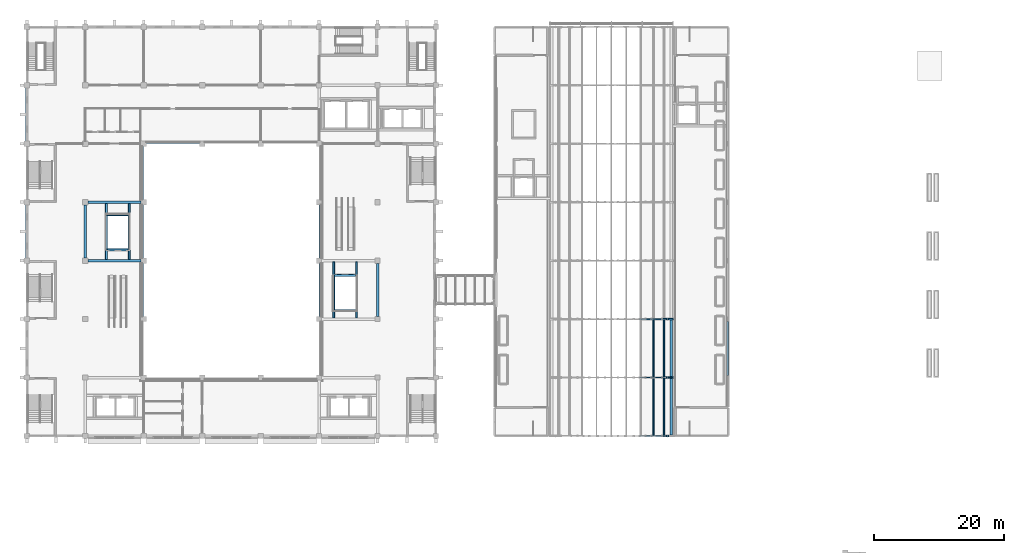
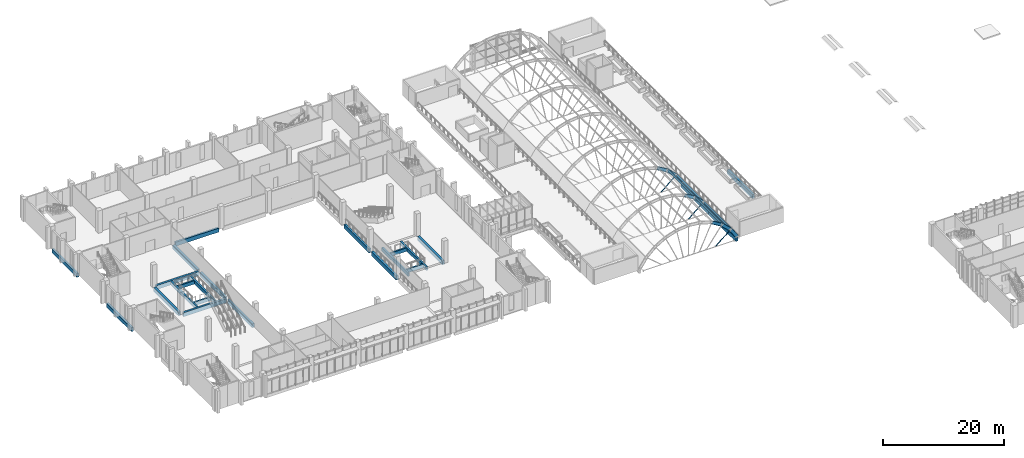
# One storey, part 15 of 79: 32 beams, 7 members.
"""IFC4 building model written with IfcOpenShell, lengths in metres."""

import ifcopenshell
import ifcopenshell.guid

model = None  # the IFC model being written
_history = None  # IfcOwnerHistory: only IFC2X3 demands one
_inside = {}  # id of a spatial element -> (the spatial element, [elements in it])
_under = {}  # id of a project, library or spatial element -> (it, [spatial elements below it])
_declared = {}  # id of a project -> (the project, [libraries it declares])
_typed = {}  # id of a type object -> (the type object, [elements of that type])
_made_of = {}  # id of a material, layer set ... -> (it, [elements and type objects made of it])


def new_model(schema):
    """Start an empty IFC model of exactly this schema.

    Asked for "IFC4X3", IfcOpenShell would pick the latest addendum, in which some entities
    have other attributes; the version numbers below select the first issue.
    IFC2X3 requires an IfcOwnerHistory on every rooted entity: one is made here for all.
    """
    global model, _history
    if schema == "IFC4X3":
        model = ifcopenshell.file(schema_version=(4, 3, 0, 0))
    else:
        model = ifcopenshell.file(schema=schema)
    _inside.clear()
    _under.clear()
    _declared.clear()
    _typed.clear()
    _made_of.clear()
    _history = None
    if model.schema == "IFC2X3":
        org = make("IfcOrganization", Name="unknown")
        user = make(
            "IfcPersonAndOrganization",
            ThePerson=make("IfcPerson", FamilyName="unknown"),
            TheOrganization=org,
        )
        app = make(
            "IfcApplication",
            ApplicationDeveloper=org,
            Version="unknown",
            ApplicationFullName="unknown",
            ApplicationIdentifier="unknown",
        )
        _history = make(
            "IfcOwnerHistory",
            OwningUser=user,
            OwningApplication=app,
            ChangeAction="ADDED",
            CreationDate=0,
        )
    return model


def make(cls, **values):
    """One entity of the class cls with the attributes given. An attribute that is None is left unset."""
    return model.create_entity(
        cls, **{name: value for name, value in values.items() if value is not None}
    )


def rooted(cls, **values):
    """An entity with a GlobalId (a new one), such as an element, a storey or a relation."""
    return make(cls, GlobalId=ifcopenshell.guid.new(), OwnerHistory=_history, **values)


def si_unit(unit_type, name, prefix=None):
    """IfcSIUnit, for example si_unit("LENGTHUNIT", "METRE", prefix="MILLI")."""
    return make("IfcSIUnit", UnitType=unit_type, Prefix=prefix, Name=name)


def assignment(units):
    """IfcUnitAssignment: the units of a project."""
    return None if units is None else make("IfcUnitAssignment", Units=units)


def point(xyz):
    """IfcCartesianPoint."""
    return None if xyz is None else make("IfcCartesianPoint", Coordinates=xyz)


def direction(xyz):
    """IfcDirection."""
    return None if xyz is None else make("IfcDirection", DirectionRatios=xyz)


def frame(location, z_axis=None, x_axis=None):
    """IfcAxis2Placement3D, a coordinate frame: its origin and axes. An axis left out is left unset."""
    return make(
        "IfcAxis2Placement3D",
        Location=point(location),
        Axis=direction(z_axis),
        RefDirection=direction(x_axis),
    )


def frame_2d(location, x_axis=None):
    """IfcAxis2Placement2D, a coordinate frame in the plane: its origin and x axis."""
    return make(
        "IfcAxis2Placement2D", Location=point(location), RefDirection=direction(x_axis)
    )


def origin():
    """The frame at (0, 0, 0) with its axes left unset."""
    return frame((0.0, 0.0, 0.0))


def origin_2d():
    """The frame at (0, 0) in the plane with its x axis left unset."""
    return frame_2d((0.0, 0.0))


def place(relative_to, where):
    """IfcLocalPlacement: puts the frame where relative to a parent placement (None: the world)."""
    return make(
        "IfcLocalPlacement", PlacementRelTo=relative_to, RelativePlacement=where
    )


def context(
    kind, dimensions, precision=None, world=None, true_north=None, identifier=None
):
    """IfcGeometricRepresentationContext, for example the 3D "Model" context."""
    return make(
        "IfcGeometricRepresentationContext",
        ContextIdentifier=identifier,
        ContextType=kind,
        CoordinateSpaceDimension=dimensions,
        Precision=precision,
        WorldCoordinateSystem=world,
        TrueNorth=true_north,
    )


def subcontext(parent, identifier, kind, view, scale=None):
    """IfcGeometricRepresentationSubContext, for example "Body" below "Model"."""
    return make(
        "IfcGeometricRepresentationSubContext",
        ContextIdentifier=identifier,
        ContextType=kind,
        ParentContext=parent,
        TargetScale=scale,
        TargetView=view,
    )


def project(units=None, contexts=None):
    """IfcProject with its units and contexts."""
    return rooted(
        "IfcProject",
        Name="project",
        RepresentationContexts=contexts,
        UnitsInContext=assignment(units),
    )


def spatial(cls, under=None, at=None, **own):
    """A site, building, storey or space (cls), placed at a placement, below another one or the project."""
    s = rooted(cls, ObjectPlacement=at, **own)
    if under is not None:
        _under.setdefault(under.id(), (under, []))[1].append(s)
    return s


def profile(cls, at=None, kind="AREA", **sizes):
    """A parametric profile (cls). Its sizes go by their IFC names, for example OverallWidth=200.0."""
    return make(cls, ProfileType=kind, Position=at, **sizes)


def rectangle(**sizes):
    """IfcRectangleProfileDef."""
    return profile("IfcRectangleProfileDef", **sizes)


def hollow_circle(**sizes):
    """IfcCircleHollowProfileDef."""
    return profile("IfcCircleHollowProfileDef", **sizes)


def i_section(**sizes):
    """IfcIShapeProfileDef."""
    return profile("IfcIShapeProfileDef", **sizes)


def extrude(swept, where, along, depth):
    """IfcExtrudedAreaSolid: the profile swept, set in the frame where, extruded along a direction by depth."""
    return make(
        "IfcExtrudedAreaSolid",
        SweptArea=swept,
        Position=where,
        ExtrudedDirection=direction(along),
        Depth=depth,
    )


def shape(context_of_items, identifier, shape_type, items):
    """IfcShapeRepresentation: the items that make up one representation, for example the "Body"."""
    return make(
        "IfcShapeRepresentation",
        ContextOfItems=context_of_items,
        RepresentationIdentifier=identifier,
        RepresentationType=shape_type,
        Items=items,
    )


def material(Name=None, Category=None):
    """IfcMaterial."""
    return make("IfcMaterial", Name=Name, Category=Category)


def material_profile(
    of_material, cross_section, Name=None, Category=None, Priority=None
):
    """IfcMaterialProfile: a cross section and its material."""
    return make(
        "IfcMaterialProfile",
        Name=Name,
        Material=of_material,
        Profile=cross_section,
        Priority=Priority,
        Category=Category,
    )


def profile_set(profiles, Name=None, composite=None):
    """IfcMaterialProfileSet."""
    return make(
        "IfcMaterialProfileSet",
        Name=Name,
        MaterialProfiles=profiles,
        CompositeProfile=composite,
    )


def made_of(thing, what):
    """Note that an element or type object is made of a material, layer set ...; save() writes the relation."""
    if what is not None:
        _made_of.setdefault(what.id(), (what, []))[1].append(thing)
    return thing


def type_object(cls, material=None, **own):
    """A type object (cls), such as IfcWallType, which elements share."""
    return made_of(rooted(cls, **own), material)


def element(
    cls,
    number,
    at=None,
    inside=None,
    cuts=None,
    type_object=None,
    material=None,
    context=None,
    identifier="Body",
    shape_type=None,
    held_by="IfcProductDefinitionShape",
    body=None,
    shapes=None,
    **own,
):
    """One element of the class cls, such as IfcWall. Its Tag is "e" and its number.

    at: its placement. inside: the storey or other place that contains it. cuts: it is an
    opening in that element (IfcRelVoidsElement). A single representation is given by context,
    identifier, shape_type and body (its items); several are given by shapes. held_by: the class
    of the entity that holds the representations. save() writes the other relations.
    """
    e = rooted(cls, Tag="e%d" % number, ObjectPlacement=at, **own)
    if body is not None:
        shapes = [shape(context, identifier, shape_type, body)]
    if shapes is not None:
        e.Representation = make(held_by, Representations=shapes)
    if inside is not None:
        _inside.setdefault(inside.id(), (inside, []))[1].append(e)
    if cuts is not None:
        rooted(
            "IfcRelVoidsElement", RelatingBuildingElement=cuts, RelatedOpeningElement=e
        )
    if type_object is not None:
        _typed.setdefault(type_object.id(), (type_object, []))[1].append(e)
    return made_of(e, material)


def aggregate(whole, parts):
    """IfcRelAggregates: a whole, such as a stair, and the parts it consists of."""
    return rooted("IfcRelAggregates", RelatingObject=whole, RelatedObjects=parts)


def save(model, path):
    """Write the relations noted so far, then the file.

    IfcRelAggregates (storeys below a building ...), IfcRelContainedInSpatialStructure (elements
    in a storey), IfcRelDefinesByType, IfcRelAssociatesMaterial and IfcRelDeclares: one each for
    every whole, place, type object, material and project.
    """
    for whole, parts in _under.values():
        aggregate(whole, parts)
    for where, things in _inside.values():
        rooted(
            "IfcRelContainedInSpatialStructure",
            RelatedElements=things,
            RelatingStructure=where,
        )
    for kind, things in _typed.values():
        rooted("IfcRelDefinesByType", RelatedObjects=things, RelatingType=kind)
    for what, things in _made_of.values():
        rooted("IfcRelAssociatesMaterial", RelatedObjects=things, RelatingMaterial=what)
    for by, libraries in _declared.values():
        rooted("IfcRelDeclares", RelatingContext=by, RelatedDefinitions=libraries)
    model.write(path)


model = new_model("IFC4")

# Units and contexts
model_context = context("Model", 3, precision=1e-05, world=origin(), true_north=direction((0.0, 1.0)))
body_context = subcontext(model_context, "Body", "Model", "MODEL_VIEW")
ifc_project = project(units=[si_unit("LENGTHUNIT", "METRE"), si_unit("AREAUNIT", "SQUARE_METRE"), si_unit("VOLUMEUNIT", "CUBIC_METRE"), si_unit("PLANEANGLEUNIT", "RADIAN"), si_unit("MASSUNIT", "GRAM", prefix="KILO")], contexts=[model_context])

# Site, building, storey
site_placement = place(None, origin())
site = spatial("IfcSite", under=ifc_project, at=site_placement, CompositionType="ELEMENT")
building_placement = place(site_placement, origin())
building = spatial("IfcBuilding", under=site, at=building_placement, Name="Guidao Yard Department Store", CompositionType="ELEMENT")
storey_placement = place(building_placement, frame((0.0, 0.0, 15.0)))
storey = spatial("IfcBuildingStorey", under=building, at=storey_placement, Name="L03", CompositionType="ELEMENT", Elevation=15.0)

# Members
ifc_material_1 = material(Name="Steel Q355B", Category="steel")
ifc_material_profile_1 = material_profile(ifc_material_1, hollow_circle(Radius=0.056884765625, WallThickness=0.006103515625, at=origin_2d()), Name="CHS 114x6")
ifc_profile_set_1 = profile_set([ifc_material_profile_1], Name="Steel Q355B")
member_type_1 = type_object("IfcMemberType", Name="CHS 114x6", PredefinedType="BRACE", material=ifc_profile_set_1)
for number, where, z_axis, x_axis, name in (
    (1, (95.22509765625, 45.0, -0.360107421875), (0.760338516722, 0.0, 0.649527012516), (0.0, 1.0, 0.0), "Roof web strut C01-09"),
    (2, (95.22509765625, 54.0, -0.360107421875), (0.760338516722, 0.0, 0.649527012516), (0.0, 1.0, 0.0), "Roof web strut C02-09"),
    (3, (95.22509765625, 63.0, -0.360107421875), (0.760338516722, 0.0, 0.649527012516), (0.0, 1.0, 0.0), "Roof web strut C03-09"),
):
    element("IfcMember", number, at=place(storey_placement, frame(where, z_axis=z_axis, x_axis=x_axis)), inside=storey, type_object=member_type_1, Name=name, PredefinedType="BRACE", context=body_context, shape_type="SweptSolid", body=[
        extrude(hollow_circle(Radius=0.056884765625, WallThickness=0.006103515625, at=origin_2d()), origin(), (0.0, 0.0, 1.0), 3.357666015625),
    ])

# Beams
ifc_material_2 = material(Name="Concrete C40", Category="concrete")
ifc_material_profile_2 = material_profile(ifc_material_2, rectangle(XDim=0.39990234375, YDim=0.800048828125, at=origin_2d()), Name="Edge beam 400 x 800 C40")
ifc_profile_set_2 = profile_set([ifc_material_profile_2], Name="Concrete C40")
beam_type_1 = type_object("IfcBeamType", Name="Edge beam 400 x 800 C40", PredefinedType="BEAM", material=ifc_profile_set_2)
for number, where, z_axis, x_axis, name in (
    (4, (17.800048828125, 63.39990234375, -0.39990234375), (0.0, 1.0, 0.0), (-1.0, 0.0, 0.0), "Beam EB17"),
    (5, (17.800048828125, 72.39990234375, -0.39990234375), (0.0, 1.0, 0.0), (-1.0, 0.0, 0.0), "Beam EB18"),
    (6, (17.800048828125, 81.39990234375, -0.39990234375), (0.0, 1.0, 0.0), (-1.0, 0.0, 0.0), "Beam EB19"),
    (7, (45.199951171875, 63.39990234375, -0.39990234375), (0.0, 1.0, 0.0), (-1.0, 0.0, 0.0), "Beam EB24"),
    (8, (45.199951171875, 72.39990234375, -0.39990234375), (0.0, 1.0, 0.0), (-1.0, 0.0, 0.0), "Beam EB25"),
    (9, (18.39990234375, 90.199951171875, -0.39990234375), (1.0, 0.0, 0.0), (0.0, 1.0, 0.0), "Beam EB27"),
    (10, (9.39990234375, 72.0, -0.39990234375), (1.0, 0.0, 0.0), (0.0, 1.0, 0.0), "Beam EB33"),
    (11, (9.39990234375, 81.0, -0.39990234375), (1.0, 0.0, 0.0), (0.0, 1.0, 0.0), "Beam EB34"),
    (12, (9.0, 72.39990234375, -0.39990234375), (0.0, 1.0, 0.0), (-1.0, 0.0, 0.0), "Beam EB35"),
    (13, (54.0, 63.39990234375, -0.39990234375), (0.0, 1.0, 0.0), (-1.0, 0.0, 0.0), "Beam EB41"),
):
    element("IfcBeam", number, at=place(storey_placement, frame(where, z_axis=z_axis, x_axis=x_axis)), inside=storey, type_object=beam_type_1, Name=name, PredefinedType="BEAM", context=body_context, shape_type="SweptSolid", body=[
        extrude(rectangle(XDim=0.39990234375, YDim=0.800048828125, at=origin_2d()), origin(), (0.0, 0.0, 1.0), 8.2001953125),
    ])
ifc_material_3 = material(Name="Concrete C40", Category="concrete")
ifc_material_profile_3 = material_profile(ifc_material_3, rectangle(XDim=0.300048828125, YDim=0.699951171875, at=origin_2d()), Name="Escalator well beam 300 x 700 C40")
ifc_profile_set_3 = profile_set([ifc_material_profile_3], Name="Concrete C40")
beam_type_2 = type_object("IfcBeamType", Name="Escalator well beam 300 x 700 C40", PredefinedType="BEAM", material=ifc_profile_set_3)
for number, where, z_axis, x_axis, name in (
    (14, (12.25, 72.199951171875, -0.35009765625), (0.0, 1.0, 0.0), (-1.0, 0.0, 0.0), "Beam OB05"),
    (15, (15.75, 72.199951171875, -0.35009765625), (0.0, 1.0, 0.0), (-1.0, 0.0, 0.0), "Beam OB06"),
):
    element("IfcBeam", number, at=place(storey_placement, frame(where, z_axis=z_axis, x_axis=x_axis)), inside=storey, type_object=beam_type_2, Name=name, PredefinedType="BEAM", context=body_context, shape_type="SweptSolid", body=[
        extrude(rectangle(XDim=0.300048828125, YDim=0.699951171875, at=origin_2d()), origin(), (0.0, 0.0, 1.0), 8.60009765625),
    ])
for number, where, z_axis, x_axis, name in (
    (16, (12.39990234375, 73.656005859375, -0.35009765625), (1.0, 0.0, 0.0), (0.0, 1.0, 0.0), "Beam OB07"),
    (17, (12.39990234375, 79.093994140625, -0.35009765625), (1.0, 0.0, 0.0), (0.0, 1.0, 0.0), "Beam OB08"),
):
    element("IfcBeam", number, at=place(storey_placement, frame(where, z_axis=z_axis, x_axis=x_axis)), inside=storey, type_object=beam_type_2, Name=name, PredefinedType="BEAM", context=body_context, shape_type="SweptSolid", body=[
        extrude(rectangle(XDim=0.300048828125, YDim=0.699951171875, at=origin_2d()), origin(), (0.0, 0.0, 1.0), 3.2001953125),
    ])
for number, where, z_axis, x_axis, name in (
    (18, (47.25, 63.199951171875, -0.35009765625), (0.0, 1.0, 0.0), (-1.0, 0.0, 0.0), "Beam OB13"),
    (19, (50.75, 63.199951171875, -0.35009765625), (0.0, 1.0, 0.0), (-1.0, 0.0, 0.0), "Beam OB14"),
):
    element("IfcBeam", number, at=place(storey_placement, frame(where, z_axis=z_axis, x_axis=x_axis)), inside=storey, type_object=beam_type_2, Name=name, PredefinedType="BEAM", context=body_context, shape_type="SweptSolid", body=[
        extrude(rectangle(XDim=0.300048828125, YDim=0.699951171875, at=origin_2d()), origin(), (0.0, 0.0, 1.0), 8.60009765625),
    ])
for number, where, z_axis, x_axis, name in (
    (20, (47.39990234375, 64.305908203125, -0.35009765625), (1.0, 0.0, 0.0), (0.0, 1.0, 0.0), "Beam OB15"),
    (21, (47.39990234375, 69.743896484375, -0.35009765625), (1.0, 0.0, 0.0), (0.0, 1.0, 0.0), "Beam OB16"),
):
    element("IfcBeam", number, at=place(storey_placement, frame(where, z_axis=z_axis, x_axis=x_axis)), inside=storey, type_object=beam_type_2, Name=name, PredefinedType="BEAM", context=body_context, shape_type="SweptSolid", body=[
        extrude(rectangle(XDim=0.300048828125, YDim=0.699951171875, at=origin_2d()), origin(), (0.0, 0.0, 1.0), 3.2001953125),
    ])
ifc_material_4 = material(Name="Concrete C40", Category="concrete")
ifc_material_profile_4 = material_profile(ifc_material_4, rectangle(XDim=0.449951171875, YDim=0.85009765625, at=origin_2d()), Name="Garden roof spandrel beam 450 x 850 C40")
ifc_profile_set_4 = profile_set([ifc_material_profile_4], Name="Concrete C40")
beam_type_3 = type_object("IfcBeamType", Name="Garden roof spandrel beam 450 x 850 C40", PredefinedType="SPANDREL", material=ifc_profile_set_4)
beam_1_placement = place(storey_placement, frame((107.77490234375, 54.35009765625, -0.425048828125), z_axis=(0.0, 1.0, 0.0), x_axis=(-1.0, 0.0, 0.0)))
element("IfcBeam", 22, at=beam_1_placement, inside=storey, type_object=beam_type_3, Name="Beam EB52", PredefinedType="SPANDREL", context=body_context, shape_type="SweptSolid", body=[
    extrude(rectangle(XDim=0.449951171875, YDim=0.85009765625, at=origin_2d()), origin(), (0.0, 0.0, 1.0), 8.2998046875),
])

# Members
ifc_material_5 = material(Name="Steel Q355B", Category="steel")
ifc_material_profile_5 = material_profile(ifc_material_5, i_section(OverallWidth=0.14990234375, OverallDepth=0.300048828125, WebThickness=0.006591796875, FlangeThickness=0.009033203125, FilletRadius=0.012939453125, at=origin_2d()), Name="HN 300x150x6.5x9")
ifc_profile_set_5 = profile_set([ifc_material_profile_5], Name="Steel Q355B")
member_type_2 = type_object("IfcMemberType", Name="HN 300x150x6.5x9", PredefinedType="PURLIN", material=ifc_profile_set_5)
for number, where, z_axis, x_axis, name in (
    (23, (96.4541015625, 45.10009765625, 3.670166015625), (0.0, 1.0, 0.0), (-0.79928350319, 0.0, 0.600954142617), "Roof purlin C01-08"),
    (24, (96.4541015625, 54.10009765625, 3.670166015625), (0.0, 1.0, 0.0), (-0.79928350319, 0.0, 0.600954142617), "Roof purlin C02-08"),
    (25, (98.11669921875, 45.10009765625, 2.110107421875), (0.0, 1.0, 0.0), (-0.649536869322, 0.0, 0.760330096334), "Roof purlin C01-09"),
    (26, (98.11669921875, 54.10009765625, 2.110107421875), (0.0, 1.0, 0.0), (-0.649536869322, 0.0, 0.760330096334), "Roof purlin C02-09"),
):
    element("IfcMember", number, at=place(storey_placement, frame(where, z_axis=z_axis, x_axis=x_axis)), inside=storey, type_object=member_type_2, Name=name, PredefinedType="PURLIN", context=body_context, shape_type="SweptSolid", body=[
        extrude(i_section(OverallWidth=0.14990234375, OverallDepth=0.300048828125, WebThickness=0.006591796875, FlangeThickness=0.009033203125, FilletRadius=0.012939453125, at=origin_2d()), origin(), (0.0, 0.0, 1.0), 8.7998046875),
    ])

# Beams
ifc_material_6 = material(Name="Steel Q355B", Category="steel")
ifc_material_profile_6 = material_profile(ifc_material_6, i_section(OverallWidth=0.199951171875, OverallDepth=0.60009765625, WebThickness=0.010986328125, FlangeThickness=0.01708984375, FilletRadius=0.012939453125, at=origin_2d()), Name="HN 600x200x11x17")
ifc_profile_set_6 = profile_set([ifc_material_profile_6], Name="Steel Q355B")
beam_type_4 = type_object("IfcBeamType", Name="HN 600x200x11x17", PredefinedType="BEAM", material=ifc_profile_set_6)
beam_2_placement = place(storey_placement, frame((94.45068359375, 45.0, 4.693603515625), z_axis=(0.859895907255, 0.0, -0.510469419933), x_axis=(0.0, 1.0, 0.0)))
element("IfcBeam", 27, at=beam_2_placement, inside=storey, type_object=beam_type_4, Name="Roof rib C01-08", PredefinedType="BEAM", context=body_context, shape_type="SweptSolid", body=[
    extrude(i_section(OverallWidth=0.199951171875, OverallDepth=0.60009765625, WebThickness=0.010986328125, FlangeThickness=0.01708984375, FilletRadius=0.012939453125, at=origin_2d()), origin(), (0.0, 0.0, 1.0), 2.19677734375),
])
beam_3_placement = place(storey_placement, frame((96.391845703125, 45.0, 3.532958984375), z_axis=(0.729181254966, 0.0, -0.684320610099), x_axis=(0.0, 1.0, 0.0)))
element("IfcBeam", 28, at=beam_3_placement, inside=storey, type_object=beam_type_4, Name="Roof rib C01-09", PredefinedType="BEAM", context=body_context, shape_type="SweptSolid", body=[
    extrude(i_section(OverallWidth=0.199951171875, OverallDepth=0.60009765625, WebThickness=0.010986328125, FlangeThickness=0.01708984375, FilletRadius=0.012939453125, at=origin_2d()), origin(), (0.0, 0.0, 1.0), 2.182373046875),
])
beam_4_placement = place(storey_placement, frame((98.026123046875, 45.0, 1.989501953125), z_axis=(0.561973245007, 0.0, -0.827155409761), x_axis=(0.0, 1.0, 0.0)))
element("IfcBeam", 29, at=beam_4_placement, inside=storey, type_object=beam_type_4, Name="Roof rib C01-10", PredefinedType="BEAM", context=body_context, shape_type="SweptSolid", body=[
    extrude(i_section(OverallWidth=0.199951171875, OverallDepth=0.60009765625, WebThickness=0.010986328125, FlangeThickness=0.01708984375, FilletRadius=0.012939453125, at=origin_2d()), origin(), (0.0, 0.0, 1.0), 2.201171875),
])
beam_5_placement = place(storey_placement, frame((94.45068359375, 54.0, 4.693603515625), z_axis=(0.859895907255, 0.0, -0.510469419933), x_axis=(0.0, 1.0, 0.0)))
element("IfcBeam", 30, at=beam_5_placement, inside=storey, type_object=beam_type_4, Name="Roof rib C02-08", PredefinedType="BEAM", context=body_context, shape_type="SweptSolid", body=[
    extrude(i_section(OverallWidth=0.199951171875, OverallDepth=0.60009765625, WebThickness=0.010986328125, FlangeThickness=0.01708984375, FilletRadius=0.012939453125, at=origin_2d()), origin(), (0.0, 0.0, 1.0), 2.19677734375),
])
beam_6_placement = place(storey_placement, frame((96.391845703125, 54.0, 3.532958984375), z_axis=(0.729181254966, 0.0, -0.684320610099), x_axis=(0.0, 1.0, 0.0)))
element("IfcBeam", 31, at=beam_6_placement, inside=storey, type_object=beam_type_4, Name="Roof rib C02-09", PredefinedType="BEAM", context=body_context, shape_type="SweptSolid", body=[
    extrude(i_section(OverallWidth=0.199951171875, OverallDepth=0.60009765625, WebThickness=0.010986328125, FlangeThickness=0.01708984375, FilletRadius=0.012939453125, at=origin_2d()), origin(), (0.0, 0.0, 1.0), 2.182373046875),
])
beam_7_placement = place(storey_placement, frame((98.026123046875, 54.0, 1.989501953125), z_axis=(0.561973245007, 0.0, -0.827155409761), x_axis=(0.0, 1.0, 0.0)))
element("IfcBeam", 32, at=beam_7_placement, inside=storey, type_object=beam_type_4, Name="Roof rib C02-10", PredefinedType="BEAM", context=body_context, shape_type="SweptSolid", body=[
    extrude(i_section(OverallWidth=0.199951171875, OverallDepth=0.60009765625, WebThickness=0.010986328125, FlangeThickness=0.01708984375, FilletRadius=0.012939453125, at=origin_2d()), origin(), (0.0, 0.0, 1.0), 2.201171875),
])
beam_8_placement = place(storey_placement, frame((94.45068359375, 63.0, 4.693603515625), z_axis=(0.859895907255, 0.0, -0.510469419933), x_axis=(0.0, 1.0, 0.0)))
element("IfcBeam", 33, at=beam_8_placement, inside=storey, type_object=beam_type_4, Name="Roof rib C03-08", PredefinedType="BEAM", context=body_context, shape_type="SweptSolid", body=[
    extrude(i_section(OverallWidth=0.199951171875, OverallDepth=0.60009765625, WebThickness=0.010986328125, FlangeThickness=0.01708984375, FilletRadius=0.012939453125, at=origin_2d()), origin(), (0.0, 0.0, 1.0), 2.19677734375),
])
beam_9_placement = place(storey_placement, frame((96.391845703125, 63.0, 3.532958984375), z_axis=(0.729181254966, 0.0, -0.684320610099), x_axis=(0.0, 1.0, 0.0)))
element("IfcBeam", 34, at=beam_9_placement, inside=storey, type_object=beam_type_4, Name="Roof rib C03-09", PredefinedType="BEAM", context=body_context, shape_type="SweptSolid", body=[
    extrude(i_section(OverallWidth=0.199951171875, OverallDepth=0.60009765625, WebThickness=0.010986328125, FlangeThickness=0.01708984375, FilletRadius=0.012939453125, at=origin_2d()), origin(), (0.0, 0.0, 1.0), 2.182373046875),
])
beam_10_placement = place(storey_placement, frame((98.026123046875, 63.0, 1.989501953125), z_axis=(0.561973245007, 0.0, -0.827155409761), x_axis=(0.0, 1.0, 0.0)))
element("IfcBeam", 35, at=beam_10_placement, inside=storey, type_object=beam_type_4, Name="Roof rib C03-10", PredefinedType="BEAM", context=body_context, shape_type="SweptSolid", body=[
    extrude(i_section(OverallWidth=0.199951171875, OverallDepth=0.60009765625, WebThickness=0.010986328125, FlangeThickness=0.01708984375, FilletRadius=0.012939453125, at=origin_2d()), origin(), (0.0, 0.0, 1.0), 2.201171875),
])
ifc_material_7 = material(Name="Concrete C40", Category="concrete")
ifc_material_profile_7 = material_profile(ifc_material_7, rectangle(XDim=0.39990234375, YDim=0.800048828125, at=origin_2d()), Name="Spandrel beam 400 x 800 C40")
ifc_profile_set_7 = profile_set([ifc_material_profile_7], Name="Concrete C40")
beam_type_5 = type_object("IfcBeamType", Name="Spandrel beam 400 x 800 C40", PredefinedType="SPANDREL", material=ifc_profile_set_7)
for number, where, z_axis, x_axis, name in (
    (36, (0.0, 72.39990234375, -0.39990234375), (0.0, 1.0, 0.0), (-1.0, 0.0, 0.0), "Beam EB07"),
    (37, (0.0, 90.39990234375, -0.39990234375), (0.0, 1.0, 0.0), (-1.0, 0.0, 0.0), "Beam EB08"),
):
    element("IfcBeam", number, at=place(storey_placement, frame(where, z_axis=z_axis, x_axis=x_axis)), inside=storey, type_object=beam_type_5, Name=name, PredefinedType="SPANDREL", context=body_context, shape_type="SweptSolid", body=[
        extrude(rectangle(XDim=0.39990234375, YDim=0.800048828125, at=origin_2d()), origin(), (0.0, 0.0, 1.0), 8.2001953125),
    ])
ifc_material_8 = material(Name="Concrete C40", Category="concrete")
ifc_material_profile_8 = material_profile(ifc_material_8, rectangle(XDim=0.39990234375, YDim=0.800048828125, at=origin_2d()), Name="Vault bearing beam 400 x 800 C40")
ifc_profile_set_8 = profile_set([ifc_material_profile_8], Name="Concrete C40")
beam_type_6 = type_object("IfcBeamType", Name="Vault bearing beam 400 x 800 C40", PredefinedType="BEAM", material=ifc_profile_set_8)
for number, where, z_axis, x_axis, name in (
    (38, (99.199951171875, 45.0, -0.39990234375), (0.0, 1.0, 0.0), (-1.0, 0.0, 0.0), "Beam VB08"),
    (39, (99.199951171875, 54.0, -0.39990234375), (0.0, 1.0, 0.0), (-1.0, 0.0, 0.0), "Beam VB09"),
):
    element("IfcBeam", number, at=place(storey_placement, frame(where, z_axis=z_axis, x_axis=x_axis)), inside=storey, type_object=beam_type_6, Name=name, PredefinedType="BEAM", context=body_context, shape_type="SweptSolid", body=[
        extrude(rectangle(XDim=0.39990234375, YDim=0.800048828125, at=origin_2d()), origin(), (0.0, 0.0, 1.0), 9.0),
    ])

save(model, "model.ifc")
